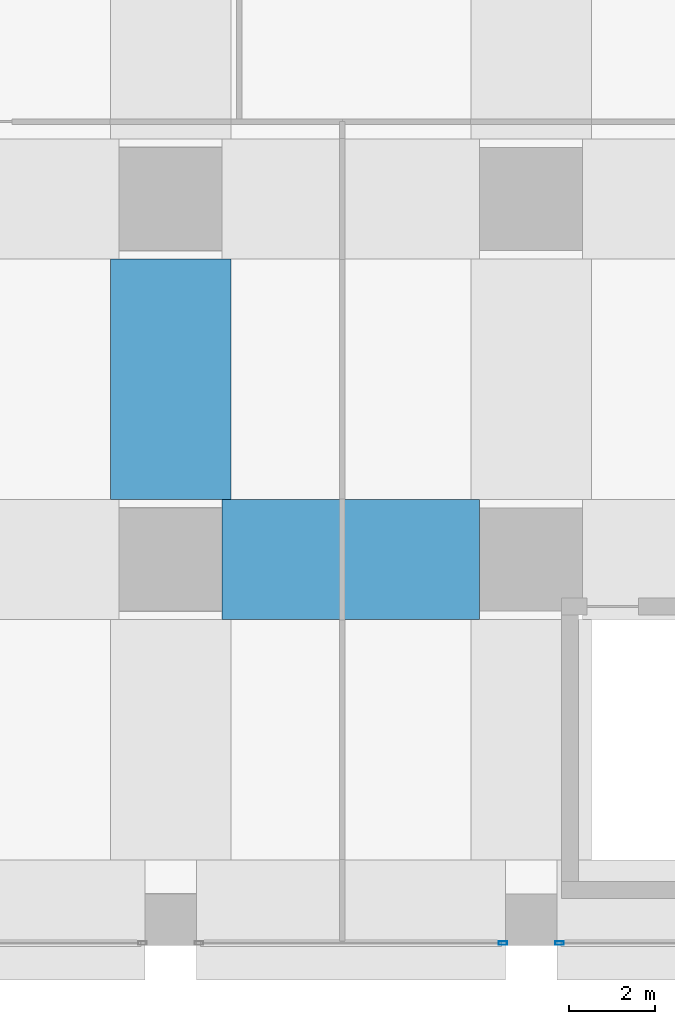
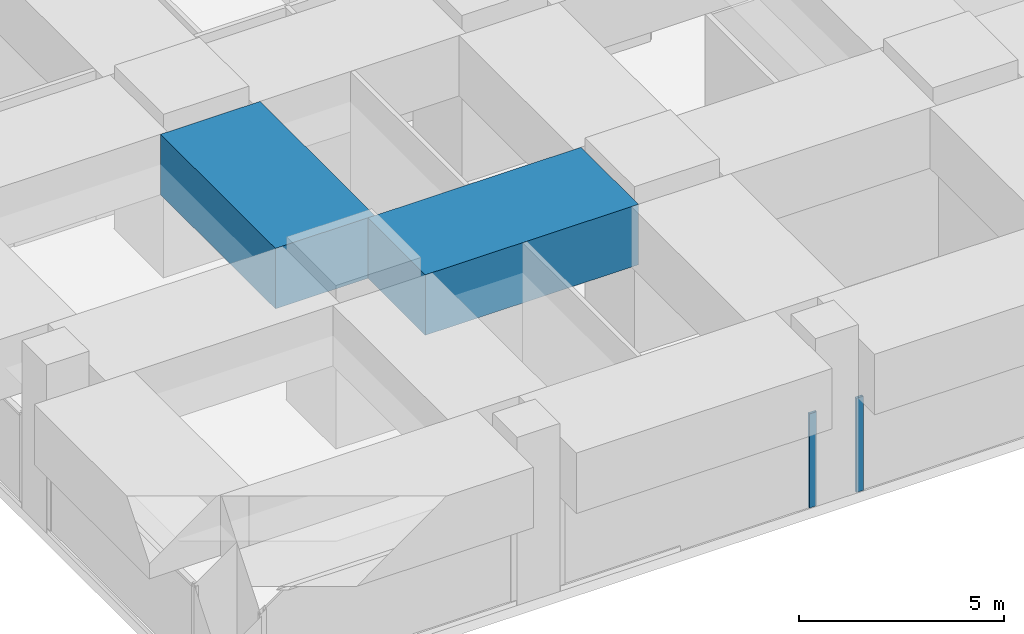
# One storey, part 6 of 52: 2 beams, 2 members, 2 elements without a shape of their own.
"""IFC4 building model written with IfcOpenShell, lengths in metres."""

import ifcopenshell
import ifcopenshell.guid

model = None  # the IFC model being written
_history = None  # IfcOwnerHistory: only IFC2X3 demands one
_inside = {}  # id of a spatial element -> (the spatial element, [elements in it])
_under = {}  # id of a project, library or spatial element -> (it, [spatial elements below it])
_declared = {}  # id of a project -> (the project, [libraries it declares])
_typed = {}  # id of a type object -> (the type object, [elements of that type])
_made_of = {}  # id of a material, layer set ... -> (it, [elements and type objects made of it])


def new_model(schema):
    """Start an empty IFC model of exactly this schema.

    Asked for "IFC4X3", IfcOpenShell would pick the latest addendum, in which some entities
    have other attributes; the version numbers below select the first issue.
    IFC2X3 requires an IfcOwnerHistory on every rooted entity: one is made here for all.
    """
    global model, _history
    if schema == "IFC4X3":
        model = ifcopenshell.file(schema_version=(4, 3, 0, 0))
    else:
        model = ifcopenshell.file(schema=schema)
    _inside.clear()
    _under.clear()
    _declared.clear()
    _typed.clear()
    _made_of.clear()
    _history = None
    if model.schema == "IFC2X3":
        org = make("IfcOrganization", Name="unknown")
        user = make(
            "IfcPersonAndOrganization",
            ThePerson=make("IfcPerson", FamilyName="unknown"),
            TheOrganization=org,
        )
        app = make(
            "IfcApplication",
            ApplicationDeveloper=org,
            Version="unknown",
            ApplicationFullName="unknown",
            ApplicationIdentifier="unknown",
        )
        _history = make(
            "IfcOwnerHistory",
            OwningUser=user,
            OwningApplication=app,
            ChangeAction="ADDED",
            CreationDate=0,
        )
    return model


def make(cls, **values):
    """One entity of the class cls with the attributes given. An attribute that is None is left unset."""
    return model.create_entity(
        cls, **{name: value for name, value in values.items() if value is not None}
    )


def rooted(cls, **values):
    """An entity with a GlobalId (a new one), such as an element, a storey or a relation."""
    return make(cls, GlobalId=ifcopenshell.guid.new(), OwnerHistory=_history, **values)


def si_unit(unit_type, name, prefix=None):
    """IfcSIUnit, for example si_unit("LENGTHUNIT", "METRE", prefix="MILLI")."""
    return make("IfcSIUnit", UnitType=unit_type, Prefix=prefix, Name=name)


def assignment(units):
    """IfcUnitAssignment: the units of a project."""
    return None if units is None else make("IfcUnitAssignment", Units=units)


def point(xyz):
    """IfcCartesianPoint."""
    return None if xyz is None else make("IfcCartesianPoint", Coordinates=xyz)


def direction(xyz):
    """IfcDirection."""
    return None if xyz is None else make("IfcDirection", DirectionRatios=xyz)


def frame(location, z_axis=None, x_axis=None):
    """IfcAxis2Placement3D, a coordinate frame: its origin and axes. An axis left out is left unset."""
    return make(
        "IfcAxis2Placement3D",
        Location=point(location),
        Axis=direction(z_axis),
        RefDirection=direction(x_axis),
    )


def frame_2d(location, x_axis=None):
    """IfcAxis2Placement2D, a coordinate frame in the plane: its origin and x axis."""
    return make(
        "IfcAxis2Placement2D", Location=point(location), RefDirection=direction(x_axis)
    )


def origin():
    """The frame at (0, 0, 0) with its axes left unset."""
    return frame((0.0, 0.0, 0.0))


def origin_2d():
    """The frame at (0, 0) in the plane with its x axis left unset."""
    return frame_2d((0.0, 0.0))


def place(relative_to, where):
    """IfcLocalPlacement: puts the frame where relative to a parent placement (None: the world)."""
    return make(
        "IfcLocalPlacement", PlacementRelTo=relative_to, RelativePlacement=where
    )


def context(
    kind, dimensions, precision=None, world=None, true_north=None, identifier=None
):
    """IfcGeometricRepresentationContext, for example the 3D "Model" context."""
    return make(
        "IfcGeometricRepresentationContext",
        ContextIdentifier=identifier,
        ContextType=kind,
        CoordinateSpaceDimension=dimensions,
        Precision=precision,
        WorldCoordinateSystem=world,
        TrueNorth=true_north,
    )


def subcontext(parent, identifier, kind, view, scale=None):
    """IfcGeometricRepresentationSubContext, for example "Body" below "Model"."""
    return make(
        "IfcGeometricRepresentationSubContext",
        ContextIdentifier=identifier,
        ContextType=kind,
        ParentContext=parent,
        TargetScale=scale,
        TargetView=view,
    )


def project(units=None, contexts=None):
    """IfcProject with its units and contexts."""
    return rooted(
        "IfcProject",
        Name="project",
        RepresentationContexts=contexts,
        UnitsInContext=assignment(units),
    )


def spatial(cls, under=None, at=None, **own):
    """A site, building, storey or space (cls), placed at a placement, below another one or the project."""
    s = rooted(cls, ObjectPlacement=at, **own)
    if under is not None:
        _under.setdefault(under.id(), (under, []))[1].append(s)
    return s


def profile(cls, at=None, kind="AREA", **sizes):
    """A parametric profile (cls). Its sizes go by their IFC names, for example OverallWidth=200.0."""
    return make(cls, ProfileType=kind, Position=at, **sizes)


def rectangle(**sizes):
    """IfcRectangleProfileDef."""
    return profile("IfcRectangleProfileDef", **sizes)


def hollow_rectangle(**sizes):
    """IfcRectangleHollowProfileDef."""
    return profile("IfcRectangleHollowProfileDef", **sizes)


def extrude(swept, where, along, depth):
    """IfcExtrudedAreaSolid: the profile swept, set in the frame where, extruded along a direction by depth."""
    return make(
        "IfcExtrudedAreaSolid",
        SweptArea=swept,
        Position=where,
        ExtrudedDirection=direction(along),
        Depth=depth,
    )


def shape(context_of_items, identifier, shape_type, items):
    """IfcShapeRepresentation: the items that make up one representation, for example the "Body"."""
    return make(
        "IfcShapeRepresentation",
        ContextOfItems=context_of_items,
        RepresentationIdentifier=identifier,
        RepresentationType=shape_type,
        Items=items,
    )


def material(Name=None, Category=None):
    """IfcMaterial."""
    return make("IfcMaterial", Name=Name, Category=Category)


def material_profile(
    of_material, cross_section, Name=None, Category=None, Priority=None
):
    """IfcMaterialProfile: a cross section and its material."""
    return make(
        "IfcMaterialProfile",
        Name=Name,
        Material=of_material,
        Profile=cross_section,
        Priority=Priority,
        Category=Category,
    )


def profile_set(profiles, Name=None, composite=None):
    """IfcMaterialProfileSet."""
    return make(
        "IfcMaterialProfileSet",
        Name=Name,
        MaterialProfiles=profiles,
        CompositeProfile=composite,
    )


def made_of(thing, what):
    """Note that an element or type object is made of a material, layer set ...; save() writes the relation."""
    if what is not None:
        _made_of.setdefault(what.id(), (what, []))[1].append(thing)
    return thing


def type_object(cls, material=None, **own):
    """A type object (cls), such as IfcWallType, which elements share."""
    return made_of(rooted(cls, **own), material)


def element(
    cls,
    number,
    at=None,
    inside=None,
    cuts=None,
    type_object=None,
    material=None,
    context=None,
    identifier="Body",
    shape_type=None,
    held_by="IfcProductDefinitionShape",
    body=None,
    shapes=None,
    **own,
):
    """One element of the class cls, such as IfcWall. Its Tag is "e" and its number.

    at: its placement. inside: the storey or other place that contains it. cuts: it is an
    opening in that element (IfcRelVoidsElement). A single representation is given by context,
    identifier, shape_type and body (its items); several are given by shapes. held_by: the class
    of the entity that holds the representations. save() writes the other relations.
    """
    e = rooted(cls, Tag="e%d" % number, ObjectPlacement=at, **own)
    if body is not None:
        shapes = [shape(context, identifier, shape_type, body)]
    if shapes is not None:
        e.Representation = make(held_by, Representations=shapes)
    if inside is not None:
        _inside.setdefault(inside.id(), (inside, []))[1].append(e)
    if cuts is not None:
        rooted(
            "IfcRelVoidsElement", RelatingBuildingElement=cuts, RelatedOpeningElement=e
        )
    if type_object is not None:
        _typed.setdefault(type_object.id(), (type_object, []))[1].append(e)
    return made_of(e, material)


def aggregate(whole, parts):
    """IfcRelAggregates: a whole, such as a stair, and the parts it consists of."""
    return rooted("IfcRelAggregates", RelatingObject=whole, RelatedObjects=parts)


def save(model, path):
    """Write the relations noted so far, then the file.

    IfcRelAggregates (storeys below a building ...), IfcRelContainedInSpatialStructure (elements
    in a storey), IfcRelDefinesByType, IfcRelAssociatesMaterial and IfcRelDeclares: one each for
    every whole, place, type object, material and project.
    """
    for whole, parts in _under.values():
        aggregate(whole, parts)
    for where, things in _inside.values():
        rooted(
            "IfcRelContainedInSpatialStructure",
            RelatedElements=things,
            RelatingStructure=where,
        )
    for kind, things in _typed.values():
        rooted("IfcRelDefinesByType", RelatedObjects=things, RelatingType=kind)
    for what, things in _made_of.values():
        rooted("IfcRelAssociatesMaterial", RelatedObjects=things, RelatingMaterial=what)
    for by, libraries in _declared.values():
        rooted("IfcRelDeclares", RelatingContext=by, RelatedDefinitions=libraries)
    model.write(path)


model = new_model("IFC4")

# Units and contexts
model_context = context("Model", 3, precision=1e-05, world=origin(), true_north=direction((0.0, 1.0)))
body_context = subcontext(model_context, "Body", "Model", "MODEL_VIEW")
ifc_project = project(units=[si_unit("LENGTHUNIT", "METRE"), si_unit("AREAUNIT", "SQUARE_METRE"), si_unit("VOLUMEUNIT", "CUBIC_METRE"), si_unit("PLANEANGLEUNIT", "RADIAN"), si_unit("MASSUNIT", "GRAM", prefix="KILO")], contexts=[model_context])

# Site, building, storey
site_placement = place(None, origin())
site = spatial("IfcSite", under=ifc_project, at=site_placement, CompositionType="ELEMENT")
building_placement = place(site_placement, origin())
building = spatial("IfcBuilding", under=site, at=building_placement, Name="Rekha Terrace Tower", CompositionType="ELEMENT")
storey_placement = place(building_placement, frame((0.0, 0.0, 20.39990234375)))
storey = spatial("IfcBuildingStorey", under=building, at=storey_placement, Name="L04", CompositionType="ELEMENT", Elevation=20.39990234375)

# Curtain wall, member
ifc_material_1 = material(Name="Aluminium framing", Category="aluminium")
curtain_wall_type = type_object("IfcCurtainWallType", Name="CW4 podium shopfront glazing", PredefinedType="USERDEFINED", material=ifc_material_1)
curtain_wall_1_placement = place(storey_placement, origin())
curtain_wall_1 = element("IfcCurtainWall", 1, at=curtain_wall_1_placement, inside=storey, type_object=curtain_wall_type, Name="CW4 shopfront curtain wall", ObjectType="SHOPFRONT CURTAIN WALL", PredefinedType="USERDEFINED")
ifc_material_2 = material(Name="Aluminium mullion section", Category="aluminium")
ifc_material_profile_1 = material_profile(ifc_material_2, hollow_rectangle(XDim=0.074951171875, YDim=0.199951171875, WallThickness=0.00390625, at=origin_2d()), Name="AL RHS 75x200")
ifc_profile_set_1 = profile_set([ifc_material_profile_1], Name="Aluminium mullion section")
member_type = type_object("IfcMemberType", Name="CW4 mullion RHS 75 x 200", PredefinedType="MULLION", material=ifc_profile_set_1)
member_1_placement = place(storey_placement, frame((16.142578125, -0.5400390625, 0.0), z_axis=(0.0, 0.0, 1.0), x_axis=(0.0, 1.0, 0.0)))
member_1 = element("IfcMember", 2, at=member_1_placement, type_object=member_type, Name="CW4 mullion 2", PredefinedType="MULLION", context=body_context, shape_type="SweptSolid", body=[
    extrude(hollow_rectangle(XDim=0.074951171875, YDim=0.199951171875, WallThickness=0.00390625, at=origin_2d()), origin(), (0.0, 0.0, 1.0), 2.800048828125),
])
aggregate(curtain_wall_1, [member_1])

curtain_wall_2_placement = place(storey_placement, origin())
curtain_wall_2 = element("IfcCurtainWall", 3, at=curtain_wall_2_placement, inside=storey, type_object=curtain_wall_type, Name="CW4 shopfront curtain wall", ObjectType="SHOPFRONT CURTAIN WALL", PredefinedType="USERDEFINED")
member_2_placement = place(storey_placement, frame((17.45751953125, -0.5400390625, 0.0), z_axis=(0.0, 0.0, 1.0), x_axis=(0.0, 1.0, 0.0)))
member_2 = element("IfcMember", 4, at=member_2_placement, type_object=member_type, Name="CW4 mullion 1", PredefinedType="MULLION", context=body_context, shape_type="SweptSolid", body=[
    extrude(hollow_rectangle(XDim=0.074951171875, YDim=0.199951171875, WallThickness=0.00390625, at=origin_2d()), origin(), (0.0, 0.0, 1.0), 2.800048828125),
])
aggregate(curtain_wall_2, [member_2])

# Beams
ifc_material_3 = material(Name="Concrete M70", Category="concrete")
ifc_material_profile_2 = material_profile(ifc_material_3, rectangle(XDim=2.800048828125, YDim=1.800048828125, at=origin_2d()), Name="RC 2800x1800")
ifc_profile_set_2 = profile_set([ifc_material_profile_2], Name="Concrete M70")
beam_type = type_object("IfcBeamType", Name="G2 2800x1800 podium roof band beam", PredefinedType="BEAM", material=ifc_profile_set_2)
beam_1_placement = place(storey_placement, frame((9.60009765625, 8.39990234375, 3.7001953125), z_axis=(1.0, 0.0, 0.0), x_axis=(0.0, 1.0, 0.0)))
element("IfcBeam", 5, at=beam_1_placement, inside=storey, type_object=beam_type, Name="Beam G2 2B-3B under L05", PredefinedType="BEAM", context=body_context, shape_type="SweptSolid", body=[
    extrude(rectangle(XDim=2.800048828125, YDim=1.800048828125, at=origin_2d()), origin(), (0.0, 0.0, 1.0), 6.0),
])
beam_2_placement = place(storey_placement, frame((8.39990234375, 9.800048828125, 3.7001953125), z_axis=(0.0, 1.0, 0.0), x_axis=(-1.0, 0.0, 0.0)))
element("IfcBeam", 6, at=beam_2_placement, inside=storey, type_object=beam_type, Name="Beam G2 2B-2C under L05", PredefinedType="BEAM", context=body_context, shape_type="SweptSolid", body=[
    extrude(rectangle(XDim=2.800048828125, YDim=1.800048828125, at=origin_2d()), origin(), (0.0, 0.0, 1.0), 5.599853515625),
])

save(model, "model.ifc")
